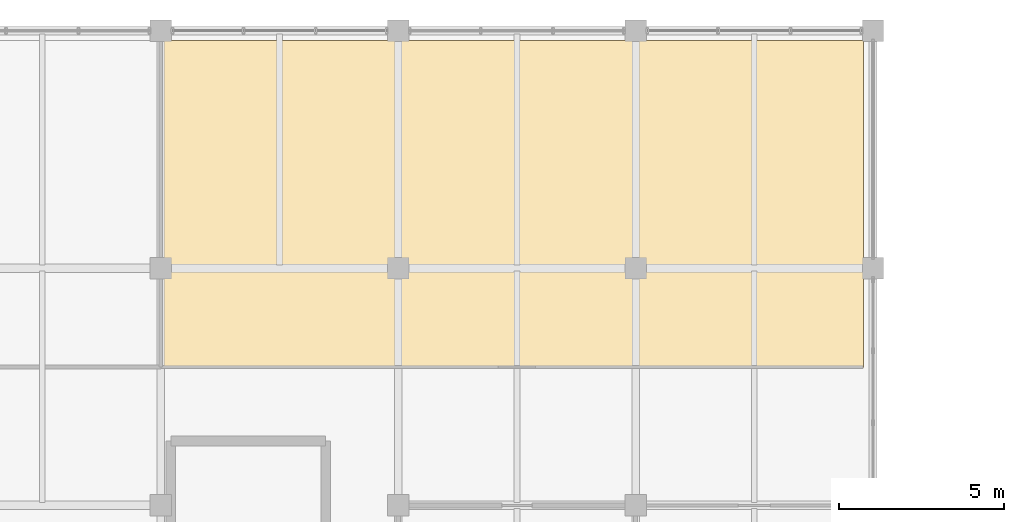
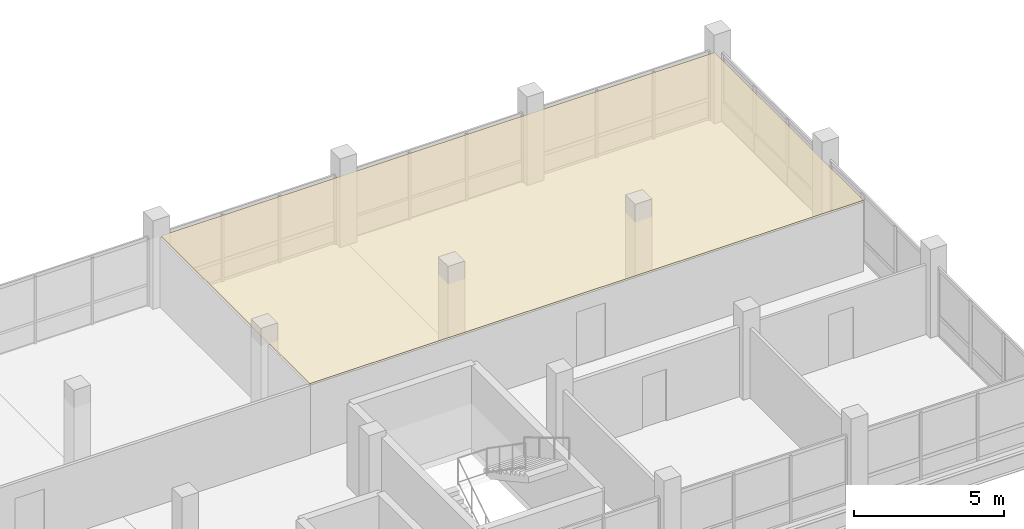
# One storey, part 91 of 96: 1 covering.
"""IFC4 building model written with IfcOpenShell, lengths in metres."""

from ifc_helpers import new_model, si_unit, direction, frame, origin, place, context, subcontext, project, spatial, polyline, outline, extrude, material, layer, layer_set, type_object, element, save


model = new_model("IFC4")

# Units and contexts
model_context = context("Model", 3, precision=1e-05, world=origin(), true_north=direction((0.0, 1.0)))
body_context = subcontext(model_context, "Body", "Model", "MODEL_VIEW")
ifc_project = project(units=[si_unit("LENGTHUNIT", "METRE"), si_unit("AREAUNIT", "SQUARE_METRE"), si_unit("VOLUMEUNIT", "CUBIC_METRE"), si_unit("PLANEANGLEUNIT", "RADIAN"), si_unit("MASSUNIT", "GRAM", prefix="KILO")], contexts=[model_context])

# Site, building, storey
site_placement = place(None, origin())
site = spatial("IfcSite", under=ifc_project, at=site_placement, CompositionType="ELEMENT")
building_placement = place(site_placement, origin())
building = spatial("IfcBuilding", under=site, at=building_placement, Name="Yarey Park Central Fire Station", CompositionType="ELEMENT")
storey_placement = place(building_placement, frame((0.0, 0.0, 14.39990234375)))
storey = spatial("IfcBuildingStorey", under=building, at=storey_placement, Name="L04", CompositionType="ELEMENT", Elevation=14.39990234375)

# Covering
ifc_material = material(Name="Acoustic Mineral Fibre Tile", Category="finish")
ifc_layer = layer(ifc_material, 0.02001953125)
ifc_layer_set = layer_set([ifc_layer], Name="Acoustic Mineral Fibre Tile")
covering_type = type_object("IfcCoveringType", Name="INT_CEIL_ACT_1", PredefinedType="CEILING", material=ifc_layer_set)
covering_placement = place(storey_placement, frame((0.0, 0.0, 2.85009765625)))
element("IfcCovering", 1, at=covering_placement, inside=storey, type_object=covering_type, Name="CEIL_SPC_L04_ENG2", PredefinedType="CEILING", context=body_context, shape_type="SweptSolid", body=[
    extrude(outline(polyline([(136.7900390625, 104.989990234375), (158.110107421875, 104.989990234375), (158.110107421875, 114.909912109375), (136.7900390625, 114.909912109375), (136.7900390625, 104.989990234375)])), origin(), (0.0, 0.0, 1.0), 0.02001953125),
])

save(model, "model.ifc")
